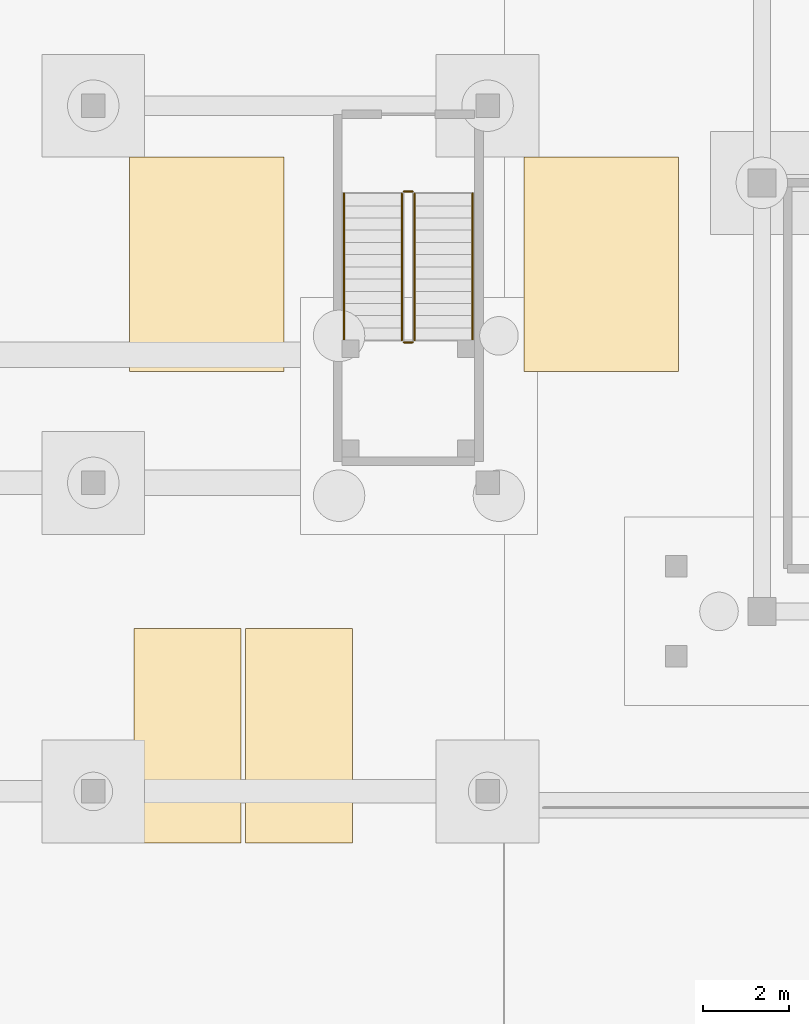
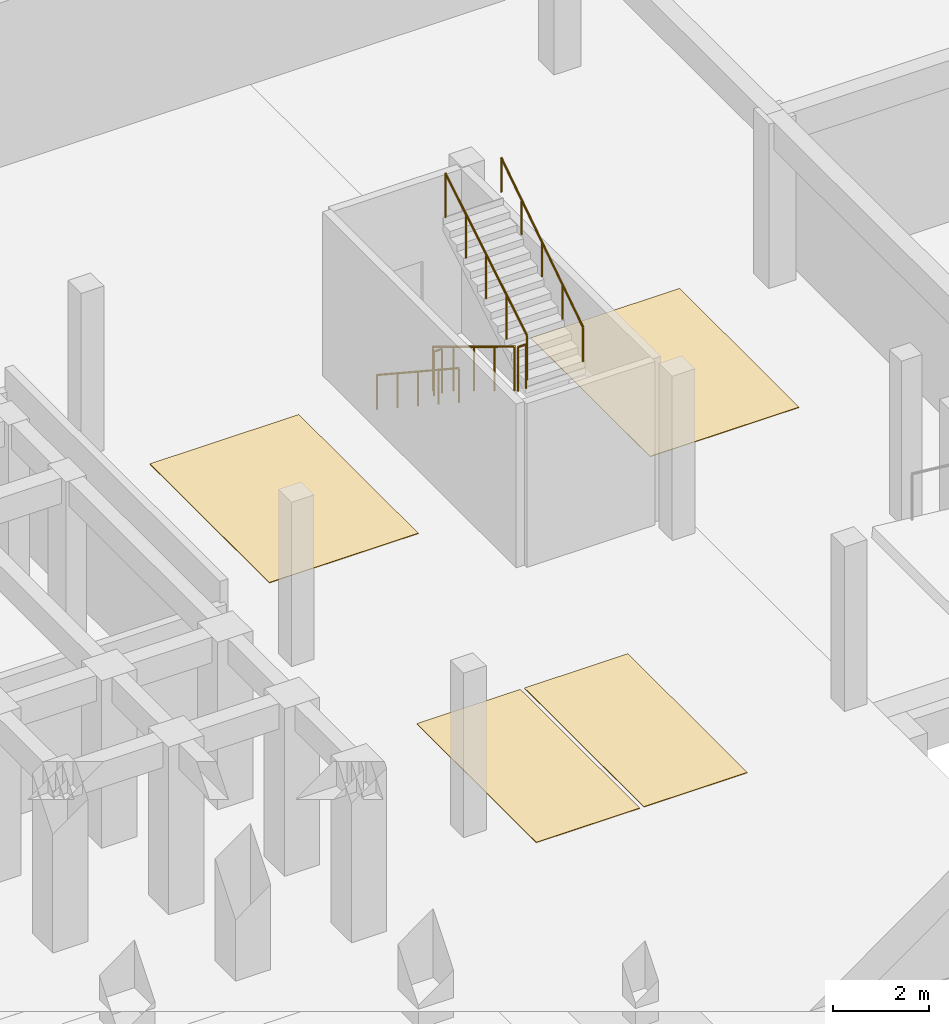
# One storey, part 43 of 53: 6 railings, 4 coverings.
"""IFC4 building model written with IfcOpenShell, lengths in metres."""

from ifc_helpers import new_model, si_unit, direction, frame, origin, origin_2d, place, context, subcontext, project, spatial, polyline, circle, outline, extrude, material, layer, layer_set, type_object, element, save


model = new_model("IFC4")

# Units and contexts
model_context = context("Model", 3, precision=1e-05, world=origin(), true_north=direction((0.0, 1.0)))
body_context = subcontext(model_context, "Body", "Model", "MODEL_VIEW")
ifc_project = project(units=[si_unit("LENGTHUNIT", "METRE"), si_unit("AREAUNIT", "SQUARE_METRE"), si_unit("VOLUMEUNIT", "CUBIC_METRE"), si_unit("PLANEANGLEUNIT", "RADIAN"), si_unit("MASSUNIT", "GRAM", prefix="KILO")], contexts=[model_context])

# Site, building, storey
site_placement = place(None, origin())
site = spatial("IfcSite", under=ifc_project, at=site_placement, CompositionType="ELEMENT")
building_placement = place(site_placement, origin())
building = spatial("IfcBuilding", under=site, at=building_placement, Name="Kiranvali Square Residences", CompositionType="ELEMENT")
storey_placement = place(building_placement, frame((0.0, 0.0, -4.5)))
storey = spatial("IfcBuildingStorey", under=building, at=storey_placement, Name="B1", CompositionType="ELEMENT", Elevation=-4.5)

# Coverings
ifc_material_1 = material(Name="Polished terrazzo and anti-slip vitrified floor finish", Category="stone")
ifc_layer_1 = layer(ifc_material_1, 0.014892578125)
ifc_layer_set_1 = layer_set([ifc_layer_1], Name="Polished terrazzo and anti-slip vitrified floor finish")
covering_type_1 = type_object("IfcCoveringType", Name="COV-BAY-ACC", PredefinedType="FLOORING", material=ifc_layer_set_1)
covering_1_placement = place(storey_placement, origin())
element("IfcCovering", 1, at=covering_1_placement, inside=storey, type_object=covering_type_1, Name="Accessible Parking Bay ACC-01", PredefinedType="FLOORING", context=body_context, shape_type="SweptSolid", body=[
    extrude(outline(polyline([(75.25, 19.60009765625), (78.85009765625, 19.60009765625), (78.85009765625, 24.60009765625), (75.25, 24.60009765625), (75.25, 19.60009765625)])), origin(), (0.0, 0.0, 1.0), 0.014892578125),
])
covering_2_placement = place(storey_placement, origin())
element("IfcCovering", 2, at=covering_2_placement, inside=storey, type_object=covering_type_1, Name="Accessible Parking Bay ACC-02", PredefinedType="FLOORING", context=body_context, shape_type="SweptSolid", body=[
    extrude(outline(polyline([(84.449951171875, 19.60009765625), (88.050048828125, 19.60009765625), (88.050048828125, 24.60009765625), (84.449951171875, 24.60009765625), (84.449951171875, 19.60009765625)])), origin(), (0.0, 0.0, 1.0), 0.014892578125),
])
ifc_layer_2 = layer(ifc_material_1, 0.014892578125)
ifc_layer_set_2 = layer_set([ifc_layer_2], Name="Polished terrazzo and anti-slip vitrified floor finish")
covering_type_2 = type_object("IfcCoveringType", Name="COV-BAY-STD", PredefinedType="FLOORING", material=ifc_layer_set_2)
covering_3_placement = place(storey_placement, origin())
element("IfcCovering", 3, at=covering_3_placement, inside=storey, type_object=covering_type_2, Name="Standard Car Parking Bay P-032", PredefinedType="FLOORING", context=body_context, shape_type="SweptSolid", body=[
    extrude(outline(polyline([(75.35009765625, 8.60009765625), (77.85009765625, 8.60009765625), (77.85009765625, 13.60009765625), (75.35009765625, 13.60009765625), (75.35009765625, 8.60009765625)])), origin(), (0.0, 0.0, 1.0), 0.014892578125),
])
covering_4_placement = place(storey_placement, origin())
element("IfcCovering", 4, at=covering_4_placement, inside=storey, type_object=covering_type_2, Name="Standard Car Parking Bay P-033", PredefinedType="FLOORING", context=body_context, shape_type="SweptSolid", body=[
    extrude(outline(polyline([(77.949951171875, 8.60009765625), (80.449951171875, 8.60009765625), (80.449951171875, 13.60009765625), (77.949951171875, 13.60009765625), (77.949951171875, 8.60009765625)])), origin(), (0.0, 0.0, 1.0), 0.014892578125),
])

# Railings
ifc_material_2 = material(Name="Brushed stainless steel tubular handrail", Category="steel")
railing_type_1 = type_object("IfcRailingType", Name="RL-HANDRAIL-900", PredefinedType="HANDRAIL", material=ifc_material_2)
railing_1_placement = place(storey_placement, frame((80.25, 23.75, 0.173095703125)))
element("IfcRailing", 5, at=railing_1_placement, inside=storey, type_object=railing_type_1, Name="B1 ST-P1 stair handrail 1", PredefinedType="HANDRAIL", context=body_context, shape_type="SweptSolid", body=[
    extrude(circle(Radius=0.02392578125, at=origin_2d()), frame((0.0, 0.0, 0.8759765625), z_axis=(0.0, -0.835411317272, 0.549625264133), x_axis=(1.0, 0.0, 0.0)), (0.0, 0.0, 1.0), 4.09375),
    extrude(circle(Radius=0.02099609375, at=origin_2d()), origin(), (0.0, 0.0, 1.0), 0.851806640625),
    extrude(circle(Radius=0.02099609375, at=origin_2d()), frame((0.0, -0.85498046875, 0.5625)), (0.0, 0.0, 1.0), 0.851806640625),
    extrude(circle(Radius=0.02099609375, at=origin_2d()), frame((0.0, -1.7099609375, 1.125)), (0.0, 0.0, 1.0), 0.851806640625),
    extrude(circle(Radius=0.02099609375, at=origin_2d()), frame((0.0, -2.56494140625, 1.6875)), (0.0, 0.0, 1.0), 0.851806640625),
    extrude(circle(Radius=0.02099609375, at=origin_2d()), frame((0.0, -3.419921875, 2.25)), (0.0, 0.0, 1.0), 0.851806640625),
])
railing_2_placement = place(storey_placement, frame((83.25, 20.330078125, 2.423095703125)))
element("IfcRailing", 6, at=railing_2_placement, inside=storey, type_object=railing_type_1, Name="B1 ST-P1 stair handrail 2", PredefinedType="HANDRAIL", context=body_context, shape_type="SweptSolid", body=[
    extrude(circle(Radius=0.02392578125, at=origin_2d()), frame((0.0, 0.0, 0.8759765625), z_axis=(0.0, 0.835411317272, 0.549625264133), x_axis=(-1.0, 0.0, 0.0)), (0.0, 0.0, 1.0), 4.09375),
    extrude(circle(Radius=0.02099609375, at=origin_2d()), origin(), (0.0, 0.0, 1.0), 0.851806640625),
    extrude(circle(Radius=0.02099609375, at=origin_2d()), frame((0.0, 0.85498046875, 0.5625)), (0.0, 0.0, 1.0), 0.851806640625),
    extrude(circle(Radius=0.02099609375, at=origin_2d()), frame((0.0, 1.7099609375, 1.125)), (0.0, 0.0, 1.0), 0.851806640625),
    extrude(circle(Radius=0.02099609375, at=origin_2d()), frame((0.0, 2.56494140625, 1.6875)), (0.0, 0.0, 1.0), 0.851806640625),
    extrude(circle(Radius=0.02099609375, at=origin_2d()), frame((0.0, 3.419921875, 2.25)), (0.0, 0.0, 1.0), 0.851806640625),
])
ifc_material_3 = material(Name="Powder-coated architectural bronze balustrade", Category="steel")
railing_type_2 = type_object("IfcRailingType", Name="RL-ST-GUARD-1200", PredefinedType="GUARDRAIL", material=ifc_material_3)
railing_3_placement = place(storey_placement, frame((81.60009765625, 23.75, 0.173095703125)))
element("IfcRailing", 7, at=railing_3_placement, inside=storey, type_object=railing_type_2, Name="B1 ST-P1 stair guard 1", PredefinedType="GUARDRAIL", context=body_context, shape_type="SweptSolid", body=[
    extrude(circle(Radius=0.02392578125, at=origin_2d()), frame((0.0, 0.0, 1.1259765625), z_axis=(0.0, -0.854729506542, 0.519073665916), x_axis=(1.0, 0.0, 0.0)), (0.0, 0.0, 1.0), 4.001220703125),
    extrude(circle(Radius=0.02099609375, at=origin_2d()), origin(), (0.0, 0.0, 1.0), 1.101806640625),
    extrude(circle(Radius=0.02099609375, at=origin_2d()), frame((0.0, -0.85498046875, 0.519287109375)), (0.0, 0.0, 1.0), 1.101806640625),
    extrude(circle(Radius=0.02099609375, at=origin_2d()), frame((0.0, -1.7099609375, 1.03857421875)), (0.0, 0.0, 1.0), 1.101806640625),
    extrude(circle(Radius=0.02099609375, at=origin_2d()), frame((0.0, -2.56494140625, 1.5576171875)), (0.0, 0.0, 1.0), 1.101806640625),
    extrude(circle(Radius=0.02099609375, at=origin_2d()), frame((0.0, -3.419921875, 2.076904296875)), (0.0, 0.0, 1.0), 1.101806640625),
])
railing_4_placement = place(storey_placement, frame((81.64990234375, 20.280029296875, 2.25)))
element("IfcRailing", 8, at=railing_4_placement, inside=storey, type_object=railing_type_2, Name="B1 ST-P1 stair guard 2", PredefinedType="GUARDRAIL", context=body_context, shape_type="SweptSolid", body=[
    extrude(circle(Radius=0.02392578125, at=origin_2d()), frame((0.0, 0.0, 1.1259765625), z_axis=(1.0, 0.0, 0.0), x_axis=(0.0, 1.0, 0.0)), (0.0, 0.0, 1.0), 0.2001953125),
    extrude(circle(Radius=0.02099609375, at=origin_2d()), origin(), (0.0, 0.0, 1.0), 1.101806640625),
    extrude(circle(Radius=0.02099609375, at=origin_2d()), frame((0.2001953125, 0.0, 0.0)), (0.0, 0.0, 1.0), 1.101806640625),
])
railing_5_placement = place(storey_placement, frame((81.89990234375, 20.330078125, 2.423095703125)))
element("IfcRailing", 9, at=railing_5_placement, inside=storey, type_object=railing_type_2, Name="B1 ST-P1 stair guard 3", PredefinedType="GUARDRAIL", context=body_context, shape_type="SweptSolid", body=[
    extrude(circle(Radius=0.02392578125, at=origin_2d()), frame((0.0, 0.0, 1.1259765625), z_axis=(0.0, 0.854729506542, 0.519073665916), x_axis=(-1.0, 0.0, 0.0)), (0.0, 0.0, 1.0), 4.001220703125),
    extrude(circle(Radius=0.02099609375, at=origin_2d()), origin(), (0.0, 0.0, 1.0), 1.101806640625),
    extrude(circle(Radius=0.02099609375, at=origin_2d()), frame((0.0, 0.85498046875, 0.519287109375)), (0.0, 0.0, 1.0), 1.101806640625),
    extrude(circle(Radius=0.02099609375, at=origin_2d()), frame((0.0, 1.7099609375, 1.03857421875)), (0.0, 0.0, 1.0), 1.101806640625),
    extrude(circle(Radius=0.02099609375, at=origin_2d()), frame((0.0, 2.56494140625, 1.5576171875)), (0.0, 0.0, 1.0), 1.101806640625),
    extrude(circle(Radius=0.02099609375, at=origin_2d()), frame((0.0, 3.419921875, 2.076904296875)), (0.0, 0.0, 1.0), 1.101806640625),
])
railing_6_placement = place(storey_placement, frame((81.64990234375, 23.800048828125, 0.0)))
element("IfcRailing", 10, at=railing_6_placement, inside=storey, type_object=railing_type_2, Name="B1 ST-P1 stair guard 4", PredefinedType="GUARDRAIL", context=body_context, shape_type="SweptSolid", body=[
    extrude(circle(Radius=0.02392578125, at=origin_2d()), frame((0.0, 0.0, 1.1259765625), z_axis=(1.0, 0.0, 0.0), x_axis=(0.0, 1.0, 0.0)), (0.0, 0.0, 1.0), 0.2001953125),
    extrude(circle(Radius=0.02099609375, at=origin_2d()), origin(), (0.0, 0.0, 1.0), 1.101806640625),
    extrude(circle(Radius=0.02099609375, at=origin_2d()), frame((0.2001953125, 0.0, 0.0)), (0.0, 0.0, 1.0), 1.101806640625),
])

save(model, "model.ifc")
